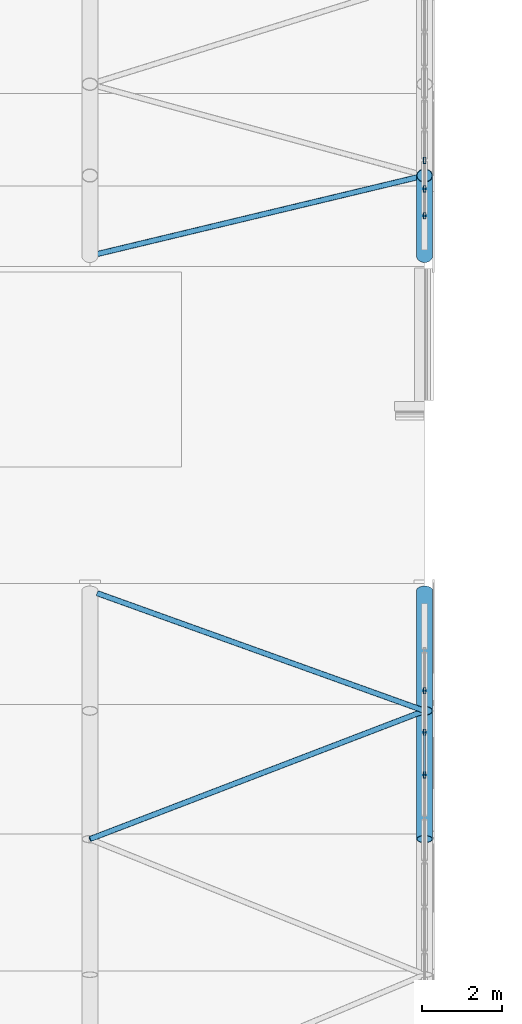
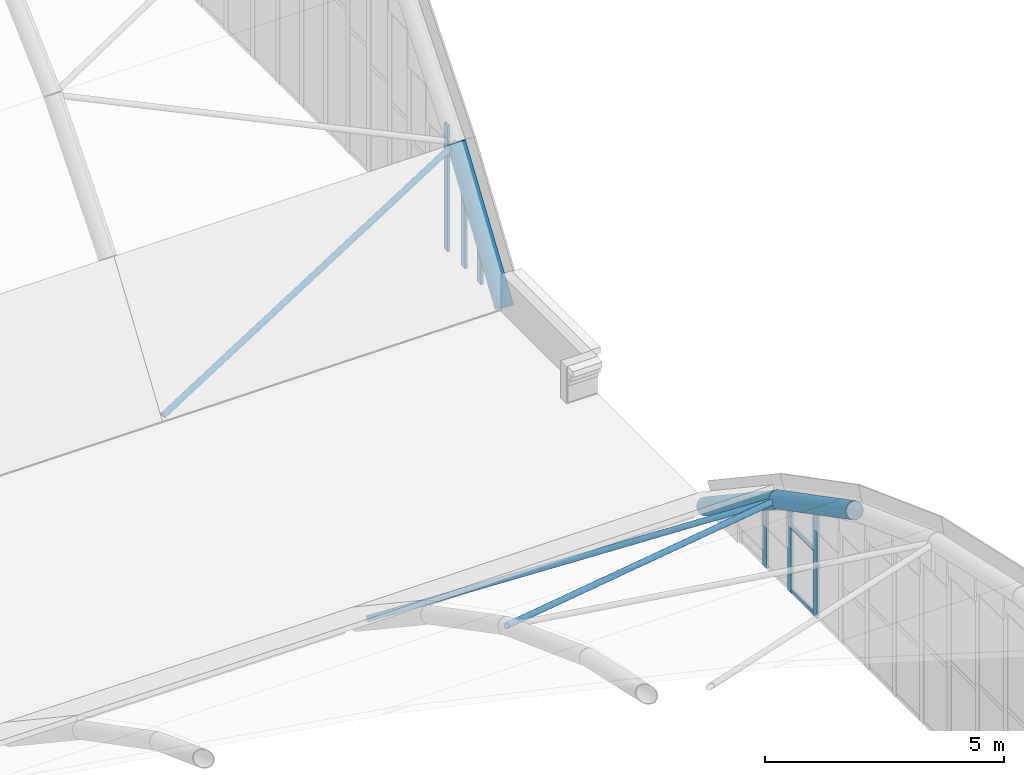
# One storey, part 23 of 77: 14 members, 2 elements without a shape of their own.
"""IFC4 building model written with IfcOpenShell, lengths in metres."""

import ifcopenshell
import ifcopenshell.guid

model = None  # the IFC model being written
_history = None  # IfcOwnerHistory: only IFC2X3 demands one
_inside = {}  # id of a spatial element -> (the spatial element, [elements in it])
_under = {}  # id of a project, library or spatial element -> (it, [spatial elements below it])
_declared = {}  # id of a project -> (the project, [libraries it declares])
_typed = {}  # id of a type object -> (the type object, [elements of that type])
_made_of = {}  # id of a material, layer set ... -> (it, [elements and type objects made of it])


def new_model(schema):
    """Start an empty IFC model of exactly this schema.

    Asked for "IFC4X3", IfcOpenShell would pick the latest addendum, in which some entities
    have other attributes; the version numbers below select the first issue.
    IFC2X3 requires an IfcOwnerHistory on every rooted entity: one is made here for all.
    """
    global model, _history
    if schema == "IFC4X3":
        model = ifcopenshell.file(schema_version=(4, 3, 0, 0))
    else:
        model = ifcopenshell.file(schema=schema)
    _inside.clear()
    _under.clear()
    _declared.clear()
    _typed.clear()
    _made_of.clear()
    _history = None
    if model.schema == "IFC2X3":
        org = make("IfcOrganization", Name="unknown")
        user = make(
            "IfcPersonAndOrganization",
            ThePerson=make("IfcPerson", FamilyName="unknown"),
            TheOrganization=org,
        )
        app = make(
            "IfcApplication",
            ApplicationDeveloper=org,
            Version="unknown",
            ApplicationFullName="unknown",
            ApplicationIdentifier="unknown",
        )
        _history = make(
            "IfcOwnerHistory",
            OwningUser=user,
            OwningApplication=app,
            ChangeAction="ADDED",
            CreationDate=0,
        )
    return model


def make(cls, **values):
    """One entity of the class cls with the attributes given. An attribute that is None is left unset."""
    return model.create_entity(
        cls, **{name: value for name, value in values.items() if value is not None}
    )


def rooted(cls, **values):
    """An entity with a GlobalId (a new one), such as an element, a storey or a relation."""
    return make(cls, GlobalId=ifcopenshell.guid.new(), OwnerHistory=_history, **values)


def si_unit(unit_type, name, prefix=None):
    """IfcSIUnit, for example si_unit("LENGTHUNIT", "METRE", prefix="MILLI")."""
    return make("IfcSIUnit", UnitType=unit_type, Prefix=prefix, Name=name)


def assignment(units):
    """IfcUnitAssignment: the units of a project."""
    return None if units is None else make("IfcUnitAssignment", Units=units)


def point(xyz):
    """IfcCartesianPoint."""
    return None if xyz is None else make("IfcCartesianPoint", Coordinates=xyz)


def direction(xyz):
    """IfcDirection."""
    return None if xyz is None else make("IfcDirection", DirectionRatios=xyz)


def frame(location, z_axis=None, x_axis=None):
    """IfcAxis2Placement3D, a coordinate frame: its origin and axes. An axis left out is left unset."""
    return make(
        "IfcAxis2Placement3D",
        Location=point(location),
        Axis=direction(z_axis),
        RefDirection=direction(x_axis),
    )


def frame_2d(location, x_axis=None):
    """IfcAxis2Placement2D, a coordinate frame in the plane: its origin and x axis."""
    return make(
        "IfcAxis2Placement2D", Location=point(location), RefDirection=direction(x_axis)
    )


def origin():
    """The frame at (0, 0, 0) with its axes left unset."""
    return frame((0.0, 0.0, 0.0))


def origin_2d():
    """The frame at (0, 0) in the plane with its x axis left unset."""
    return frame_2d((0.0, 0.0))


def place(relative_to, where):
    """IfcLocalPlacement: puts the frame where relative to a parent placement (None: the world)."""
    return make(
        "IfcLocalPlacement", PlacementRelTo=relative_to, RelativePlacement=where
    )


def context(
    kind, dimensions, precision=None, world=None, true_north=None, identifier=None
):
    """IfcGeometricRepresentationContext, for example the 3D "Model" context."""
    return make(
        "IfcGeometricRepresentationContext",
        ContextIdentifier=identifier,
        ContextType=kind,
        CoordinateSpaceDimension=dimensions,
        Precision=precision,
        WorldCoordinateSystem=world,
        TrueNorth=true_north,
    )


def subcontext(parent, identifier, kind, view, scale=None):
    """IfcGeometricRepresentationSubContext, for example "Body" below "Model"."""
    return make(
        "IfcGeometricRepresentationSubContext",
        ContextIdentifier=identifier,
        ContextType=kind,
        ParentContext=parent,
        TargetScale=scale,
        TargetView=view,
    )


def project(units=None, contexts=None):
    """IfcProject with its units and contexts."""
    return rooted(
        "IfcProject",
        Name="project",
        RepresentationContexts=contexts,
        UnitsInContext=assignment(units),
    )


def spatial(cls, under=None, at=None, **own):
    """A site, building, storey or space (cls), placed at a placement, below another one or the project."""
    s = rooted(cls, ObjectPlacement=at, **own)
    if under is not None:
        _under.setdefault(under.id(), (under, []))[1].append(s)
    return s


def profile(cls, at=None, kind="AREA", **sizes):
    """A parametric profile (cls). Its sizes go by their IFC names, for example OverallWidth=200.0."""
    return make(cls, ProfileType=kind, Position=at, **sizes)


def hollow_rectangle(**sizes):
    """IfcRectangleHollowProfileDef."""
    return profile("IfcRectangleHollowProfileDef", **sizes)


def hollow_circle(**sizes):
    """IfcCircleHollowProfileDef."""
    return profile("IfcCircleHollowProfileDef", **sizes)


def extrude(swept, where, along, depth):
    """IfcExtrudedAreaSolid: the profile swept, set in the frame where, extruded along a direction by depth."""
    return make(
        "IfcExtrudedAreaSolid",
        SweptArea=swept,
        Position=where,
        ExtrudedDirection=direction(along),
        Depth=depth,
    )


def shape(context_of_items, identifier, shape_type, items):
    """IfcShapeRepresentation: the items that make up one representation, for example the "Body"."""
    return make(
        "IfcShapeRepresentation",
        ContextOfItems=context_of_items,
        RepresentationIdentifier=identifier,
        RepresentationType=shape_type,
        Items=items,
    )


def material(Name=None, Category=None):
    """IfcMaterial."""
    return make("IfcMaterial", Name=Name, Category=Category)


def material_profile(
    of_material, cross_section, Name=None, Category=None, Priority=None
):
    """IfcMaterialProfile: a cross section and its material."""
    return make(
        "IfcMaterialProfile",
        Name=Name,
        Material=of_material,
        Profile=cross_section,
        Priority=Priority,
        Category=Category,
    )


def profile_set(profiles, Name=None, composite=None):
    """IfcMaterialProfileSet."""
    return make(
        "IfcMaterialProfileSet",
        Name=Name,
        MaterialProfiles=profiles,
        CompositeProfile=composite,
    )


def made_of(thing, what):
    """Note that an element or type object is made of a material, layer set ...; save() writes the relation."""
    if what is not None:
        _made_of.setdefault(what.id(), (what, []))[1].append(thing)
    return thing


def type_object(cls, material=None, **own):
    """A type object (cls), such as IfcWallType, which elements share."""
    return made_of(rooted(cls, **own), material)


def element(
    cls,
    number,
    at=None,
    inside=None,
    cuts=None,
    type_object=None,
    material=None,
    context=None,
    identifier="Body",
    shape_type=None,
    held_by="IfcProductDefinitionShape",
    body=None,
    shapes=None,
    **own,
):
    """One element of the class cls, such as IfcWall. Its Tag is "e" and its number.

    at: its placement. inside: the storey or other place that contains it. cuts: it is an
    opening in that element (IfcRelVoidsElement). A single representation is given by context,
    identifier, shape_type and body (its items); several are given by shapes. held_by: the class
    of the entity that holds the representations. save() writes the other relations.
    """
    e = rooted(cls, Tag="e%d" % number, ObjectPlacement=at, **own)
    if body is not None:
        shapes = [shape(context, identifier, shape_type, body)]
    if shapes is not None:
        e.Representation = make(held_by, Representations=shapes)
    if inside is not None:
        _inside.setdefault(inside.id(), (inside, []))[1].append(e)
    if cuts is not None:
        rooted(
            "IfcRelVoidsElement", RelatingBuildingElement=cuts, RelatedOpeningElement=e
        )
    if type_object is not None:
        _typed.setdefault(type_object.id(), (type_object, []))[1].append(e)
    return made_of(e, material)


def aggregate(whole, parts):
    """IfcRelAggregates: a whole, such as a stair, and the parts it consists of."""
    return rooted("IfcRelAggregates", RelatingObject=whole, RelatedObjects=parts)


def save(model, path):
    """Write the relations noted so far, then the file.

    IfcRelAggregates (storeys below a building ...), IfcRelContainedInSpatialStructure (elements
    in a storey), IfcRelDefinesByType, IfcRelAssociatesMaterial and IfcRelDeclares: one each for
    every whole, place, type object, material and project.
    """
    for whole, parts in _under.values():
        aggregate(whole, parts)
    for where, things in _inside.values():
        rooted(
            "IfcRelContainedInSpatialStructure",
            RelatedElements=things,
            RelatingStructure=where,
        )
    for kind, things in _typed.values():
        rooted("IfcRelDefinesByType", RelatedObjects=things, RelatingType=kind)
    for what, things in _made_of.values():
        rooted("IfcRelAssociatesMaterial", RelatedObjects=things, RelatingMaterial=what)
    for by, libraries in _declared.values():
        rooted("IfcRelDeclares", RelatingContext=by, RelatedDefinitions=libraries)
    model.write(path)


model = new_model("IFC4")

# Units and contexts
model_context = context("Model", 3, precision=1e-05, world=origin(), true_north=direction((0.0, 1.0)))
body_context = subcontext(model_context, "Body", "Model", "MODEL_VIEW")
ifc_project = project(units=[si_unit("LENGTHUNIT", "METRE"), si_unit("AREAUNIT", "SQUARE_METRE"), si_unit("VOLUMEUNIT", "CUBIC_METRE"), si_unit("PLANEANGLEUNIT", "RADIAN"), si_unit("MASSUNIT", "GRAM", prefix="KILO")], contexts=[model_context])

# Site, building, storey
site_placement = place(None, origin())
site = spatial("IfcSite", under=ifc_project, at=site_placement, CompositionType="ELEMENT")
building_placement = place(site_placement, origin())
building = spatial("IfcBuilding", under=site, at=building_placement, Name="Catenary Quay Ferry Terminal", CompositionType="ELEMENT")
storey_placement = place(building_placement, frame((0.0, 0.0, 10.800048828125)))
storey = spatial("IfcBuildingStorey", under=building, at=storey_placement, Name="L02", CompositionType="ELEMENT", Elevation=10.800048828125)

# Members
ifc_material_1 = material(Name="Steel S355", Category="steel")
ifc_material_profile_1 = material_profile(ifc_material_1, hollow_circle(Radius=0.06982421875, WallThickness=0.008056640625, at=origin_2d()), Name="CHS 139.7x8")
ifc_profile_set_1 = profile_set([ifc_material_profile_1], Name="Steel S355")
member_type_1 = type_object("IfcMemberType", Name="BR1 CHS 139.7x8", PredefinedType="BRACE", material=ifc_profile_set_1)
member_1_placement = place(storey_placement, frame((84.0, 94.56201171875, 3.683837890625), z_axis=(0.91804419684, 0.351917831545, -0.182616243771), x_axis=(-0.357936800367, 0.933745814953, 0.0)))
element("IfcMember", 1, at=member_1_placement, inside=storey, type_object=member_type_1, Name="Roof brace BR-VA-08-09", PredefinedType="BRACE", context=body_context, shape_type="SweptSolid", body=[
    extrude(hollow_circle(Radius=0.06982421875, WallThickness=0.008056640625, at=origin_2d()), origin(), (0.0, 0.0, 1.0), 9.149658203125),
])
member_2_placement = place(storey_placement, frame((92.39990234375, 97.781982421875, 2.012939453125), z_axis=(-0.91804351654, 0.329853169346, -0.219984063995), x_axis=(-0.338136337743, -0.941097134784, 0.0)))
element("IfcMember", 2, at=member_2_placement, inside=storey, type_object=member_type_1, Name="Roof brace BR-VA-08-10", PredefinedType="BRACE", context=body_context, shape_type="SweptSolid", body=[
    extrude(hollow_circle(Radius=0.06982421875, WallThickness=0.008056640625, at=origin_2d()), origin(), (0.0, 0.0, 1.0), 8.937255859375),
])
member_3_placement = place(storey_placement, frame((84.195068359375, 109.2470703125, 0.06884765625), z_axis=(0.919546095424, 0.220563009945, 0.325249038483), x_axis=(-0.233244909863, 0.972418023292, 0.0)))
element("IfcMember", 3, at=member_3_placement, inside=storey, type_object=member_type_1, Name="Roof brace BR-VD-08-01", PredefinedType="BRACE", context=body_context, shape_type="SweptSolid", body=[
    extrude(hollow_circle(Radius=0.06982421875, WallThickness=0.008056640625, at=origin_2d()), origin(), (0.0, 0.0, 1.0), 8.922607421875),
])

# Curtain wall, members
ifc_material_2 = material(Name="Aluminium and glass", Category="aluminium")
curtain_wall_type = type_object("IfcCurtainWallType", Name="CWA", PredefinedType="NOTDEFINED", material=ifc_material_2)
curtain_wall_1_placement = place(storey_placement, origin())
curtain_wall_1 = element("IfcCurtainWall", 4, at=curtain_wall_1_placement, inside=storey, type_object=curtain_wall_type, Name="Arch arrivals hall curtain wall CW12", PredefinedType="NOTDEFINED")
ifc_material_3 = material(Name="Aluminium", Category="aluminium")
ifc_material_profile_2 = material_profile(ifc_material_3, hollow_rectangle(XDim=0.06005859375, YDim=0.159912109375, WallThickness=0.006103515625, at=origin_2d()), Name="MU5")
ifc_profile_set_2 = profile_set([ifc_material_profile_2], Name="Aluminium")
member_type_2 = type_object("IfcMemberType", Name="MU5", PredefinedType="MULLION", material=ifc_profile_set_2)
member_4_placement = place(storey_placement, frame((92.39990234375, 96.172119140625, 0.0), z_axis=(0.0, 0.0, 1.0), x_axis=(-1.0, 0.0, 0.0)))
member_4 = element("IfcMember", 5, at=member_4_placement, type_object=member_type_2, Name="CW12 mullion 25", PredefinedType="MULLION", context=body_context, shape_type="SweptSolid", body=[
    extrude(hollow_rectangle(XDim=0.06005859375, YDim=0.159912109375, WallThickness=0.006103515625, at=origin_2d()), origin(), (0.0, 0.0, 1.0), 2.62841796875),
])
member_5_placement = place(storey_placement, frame((92.39990234375, 97.245361328125, 0.0), z_axis=(0.0, 0.0, 1.0), x_axis=(-1.0, 0.0, 0.0)))
member_5 = element("IfcMember", 6, at=member_5_placement, type_object=member_type_2, Name="CW12 mullion 26", PredefinedType="MULLION", context=body_context, shape_type="SweptSolid", body=[
    extrude(hollow_rectangle(XDim=0.06005859375, YDim=0.159912109375, WallThickness=0.006103515625, at=origin_2d()), origin(), (0.0, 0.0, 1.0), 2.071533203125),
])
member_6_placement = place(storey_placement, frame((92.39990234375, 98.284912109375, 0.0), z_axis=(0.0, 0.0, 1.0), x_axis=(-1.0, 0.0, 0.0)))
member_6 = element("IfcMember", 7, at=member_6_placement, type_object=member_type_2, Name="CW12 mullion 27", PredefinedType="MULLION", context=body_context, shape_type="SweptSolid", body=[
    extrude(hollow_rectangle(XDim=0.06005859375, YDim=0.159912109375, WallThickness=0.006103515625, at=origin_2d()), origin(), (0.0, 0.0, 1.0), 1.45751953125),
])

curtain_wall_2_placement = place(storey_placement, origin())
curtain_wall_2 = element("IfcCurtainWall", 8, at=curtain_wall_2_placement, inside=storey, type_object=curtain_wall_type, Name="Arch departure hall curtain wall CW21", PredefinedType="NOTDEFINED")
member_7_placement = place(storey_placement, frame((92.39990234375, 110.20751953125, 0.0), z_axis=(0.0, 0.0, 1.0), x_axis=(-1.0, 0.0, 0.0)))
member_7 = element("IfcMember", 9, at=member_7_placement, type_object=member_type_2, Name="CW21 mullion 1", PredefinedType="MULLION", context=body_context, shape_type="SweptSolid", body=[
    extrude(hollow_rectangle(XDim=0.06005859375, YDim=0.159912109375, WallThickness=0.006103515625, at=origin_2d()), origin(), (0.0, 0.0, 1.0), 1.265380859375),
])
member_8_placement = place(storey_placement, frame((92.39990234375, 110.879150390625, 0.0), z_axis=(0.0, 0.0, 1.0), x_axis=(-1.0, 0.0, 0.0)))
member_8 = element("IfcMember", 10, at=member_8_placement, type_object=member_type_2, Name="CW21 mullion 2", PredefinedType="MULLION", context=body_context, shape_type="SweptSolid", body=[
    extrude(hollow_rectangle(XDim=0.06005859375, YDim=0.159912109375, WallThickness=0.006103515625, at=origin_2d()), origin(), (0.0, 0.0, 1.0), 2.255859375),
])
member_9_placement = place(storey_placement, frame((92.39990234375, 111.596923828125, 0.0), z_axis=(0.0, 0.0, 1.0), x_axis=(-1.0, 0.0, 0.0)))
member_9 = element("IfcMember", 11, at=member_9_placement, type_object=member_type_2, Name="CW21 mullion 3", PredefinedType="MULLION", context=body_context, shape_type="SweptSolid", body=[
    extrude(hollow_rectangle(XDim=0.06005859375, YDim=0.159912109375, WallThickness=0.006103515625, at=origin_2d()), origin(), (0.0, 0.0, 1.0), 3.211669921875),
])
aggregate(curtain_wall_2, [member_7, member_8, member_9])

# Member
ifc_material_4 = material(Name="Aluminium", Category="aluminium")
ifc_material_profile_3 = material_profile(ifc_material_4, hollow_rectangle(XDim=0.050048828125, YDim=0.10009765625, WallThickness=0.00390625, at=origin_2d()), Name="TR4")
ifc_profile_set_3 = profile_set([ifc_material_profile_3], Name="Aluminium")
member_type_3 = type_object("IfcMemberType", Name="TR4", PredefinedType="USERDEFINED", material=ifc_profile_set_3)
member_10_placement = place(storey_placement, frame((92.39990234375, 96.201904296875, 0.050048828125), z_axis=(0.0, 1.0, 0.0), x_axis=(-1.0, 0.0, 0.0)))
member_10 = element("IfcMember", 12, at=member_10_placement, type_object=member_type_3, Name="CW12 transom 25.1", ObjectType="TRANSOM", PredefinedType="USERDEFINED", context=body_context, shape_type="SweptSolid", body=[
    extrude(hollow_rectangle(XDim=0.050048828125, YDim=0.10009765625, WallThickness=0.00390625, at=origin_2d()), origin(), (0.0, 0.0, 1.0), 1.013427734375),
])

member_11_placement = place(storey_placement, frame((92.39990234375, 96.201904296875, 1.681396484375), z_axis=(0.0, 1.0, 0.0), x_axis=(-1.0, 0.0, 0.0)))
member_11 = element("IfcMember", 13, at=member_11_placement, type_object=member_type_3, Name="CW12 transom 25.2", ObjectType="TRANSOM", PredefinedType="USERDEFINED", context=body_context, shape_type="SweptSolid", body=[
    extrude(hollow_rectangle(XDim=0.050048828125, YDim=0.10009765625, WallThickness=0.00390625, at=origin_2d()), origin(), (0.0, 0.0, 1.0), 1.013427734375),
])

aggregate(curtain_wall_1, [member_4, member_5, member_6, member_10, member_11])

# Members
ifc_material_5 = material(Name="Steel S355", Category="steel")
ifc_material_profile_4 = material_profile(ifc_material_5, hollow_circle(Radius=0.203125, WallThickness=0.01611328125, at=origin_2d()), Name="CHS 406.4x16")
ifc_profile_set_4 = profile_set([ifc_material_profile_4], Name="Steel S355")
member_type_4 = type_object("IfcMemberType", Name="VR3 CHS 406.4x16", PredefinedType="RAFTER", material=ifc_profile_set_4)
for number, where, z_axis, x_axis, name in (
    (14, (92.39990234375, 94.56201171875, 3.683837890625), (0.0, 0.887609848797, -0.460596088041), (-1.0, 0.0, 0.0), "Vault rib VA-09-09"),
    (15, (92.39990234375, 97.781982421875, 2.012939453125), (0.0, 0.831936388081, -0.554871017613), (-1.0, 0.0, 0.0), "Vault rib VA-09-10"),
):
    element("IfcMember", number, at=place(storey_placement, frame(where, z_axis=z_axis, x_axis=x_axis)), inside=storey, type_object=member_type_4, Name=name, PredefinedType="RAFTER", context=body_context, shape_type="SweptSolid", body=[
        extrude(hollow_circle(Radius=0.203125, WallThickness=0.01611328125, at=origin_2d()), origin(), (0.0, 0.0, 1.0), 3.627685546875),
    ])
member_12_placement = place(storey_placement, frame((92.39990234375, 109.199951171875, 0.0), z_axis=(0.0, 0.561336762899, 0.827587480945), x_axis=(-1.0, 0.0, 0.0)))
element("IfcMember", 16, at=member_12_placement, inside=storey, type_object=member_type_4, Name="Vault rib VD-09-01", PredefinedType="RAFTER", context=body_context, shape_type="SweptSolid", body=[
    extrude(hollow_circle(Radius=0.203125, WallThickness=0.01611328125, at=origin_2d()), origin(), (0.0, 0.0, 1.0), 3.58984375),
])

save(model, "model.ifc")
